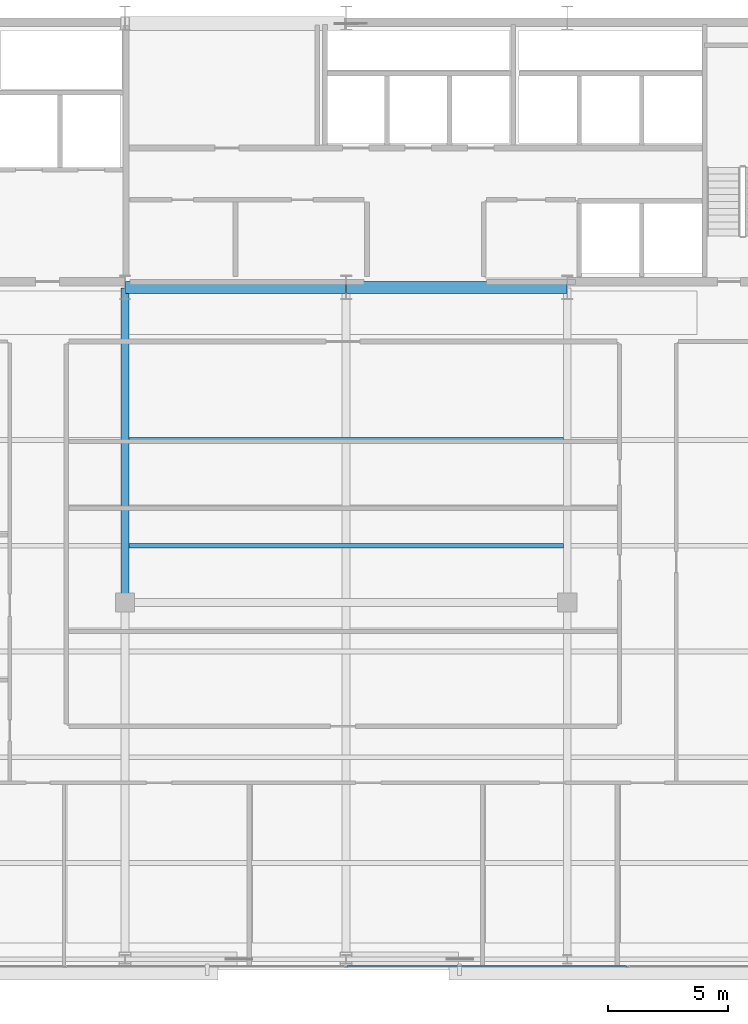
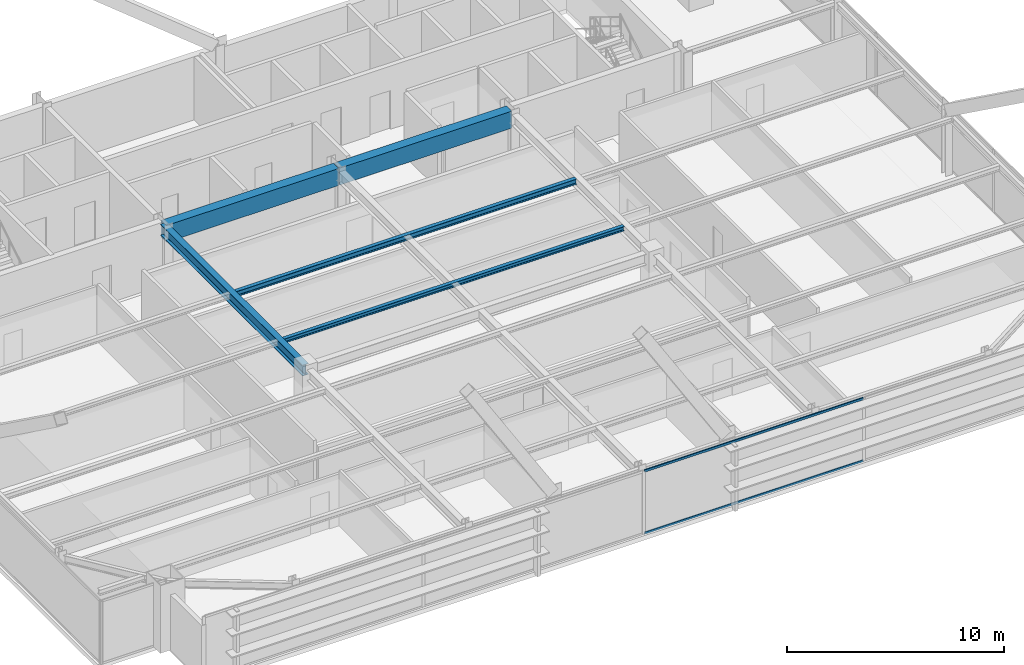
# One storey, part 12 of 30: 5 beams, 2 members, 1 element without a shape of its own.
"""IFC4 building model written with IfcOpenShell, lengths in metres."""

import ifcopenshell
import ifcopenshell.guid

model = None  # the IFC model being written
_history = None  # IfcOwnerHistory: only IFC2X3 demands one
_inside = {}  # id of a spatial element -> (the spatial element, [elements in it])
_under = {}  # id of a project, library or spatial element -> (it, [spatial elements below it])
_declared = {}  # id of a project -> (the project, [libraries it declares])
_typed = {}  # id of a type object -> (the type object, [elements of that type])
_made_of = {}  # id of a material, layer set ... -> (it, [elements and type objects made of it])


def new_model(schema):
    """Start an empty IFC model of exactly this schema.

    Asked for "IFC4X3", IfcOpenShell would pick the latest addendum, in which some entities
    have other attributes; the version numbers below select the first issue.
    IFC2X3 requires an IfcOwnerHistory on every rooted entity: one is made here for all.
    """
    global model, _history
    if schema == "IFC4X3":
        model = ifcopenshell.file(schema_version=(4, 3, 0, 0))
    else:
        model = ifcopenshell.file(schema=schema)
    _inside.clear()
    _under.clear()
    _declared.clear()
    _typed.clear()
    _made_of.clear()
    _history = None
    if model.schema == "IFC2X3":
        org = make("IfcOrganization", Name="unknown")
        user = make(
            "IfcPersonAndOrganization",
            ThePerson=make("IfcPerson", FamilyName="unknown"),
            TheOrganization=org,
        )
        app = make(
            "IfcApplication",
            ApplicationDeveloper=org,
            Version="unknown",
            ApplicationFullName="unknown",
            ApplicationIdentifier="unknown",
        )
        _history = make(
            "IfcOwnerHistory",
            OwningUser=user,
            OwningApplication=app,
            ChangeAction="ADDED",
            CreationDate=0,
        )
    return model


def make(cls, **values):
    """One entity of the class cls with the attributes given. An attribute that is None is left unset."""
    return model.create_entity(
        cls, **{name: value for name, value in values.items() if value is not None}
    )


def rooted(cls, **values):
    """An entity with a GlobalId (a new one), such as an element, a storey or a relation."""
    return make(cls, GlobalId=ifcopenshell.guid.new(), OwnerHistory=_history, **values)


def si_unit(unit_type, name, prefix=None):
    """IfcSIUnit, for example si_unit("LENGTHUNIT", "METRE", prefix="MILLI")."""
    return make("IfcSIUnit", UnitType=unit_type, Prefix=prefix, Name=name)


def assignment(units):
    """IfcUnitAssignment: the units of a project."""
    return None if units is None else make("IfcUnitAssignment", Units=units)


def point(xyz):
    """IfcCartesianPoint."""
    return None if xyz is None else make("IfcCartesianPoint", Coordinates=xyz)


def direction(xyz):
    """IfcDirection."""
    return None if xyz is None else make("IfcDirection", DirectionRatios=xyz)


def frame(location, z_axis=None, x_axis=None):
    """IfcAxis2Placement3D, a coordinate frame: its origin and axes. An axis left out is left unset."""
    return make(
        "IfcAxis2Placement3D",
        Location=point(location),
        Axis=direction(z_axis),
        RefDirection=direction(x_axis),
    )


def frame_2d(location, x_axis=None):
    """IfcAxis2Placement2D, a coordinate frame in the plane: its origin and x axis."""
    return make(
        "IfcAxis2Placement2D", Location=point(location), RefDirection=direction(x_axis)
    )


def origin():
    """The frame at (0, 0, 0) with its axes left unset."""
    return frame((0.0, 0.0, 0.0))


def origin_2d():
    """The frame at (0, 0) in the plane with its x axis left unset."""
    return frame_2d((0.0, 0.0))


def place(relative_to, where):
    """IfcLocalPlacement: puts the frame where relative to a parent placement (None: the world)."""
    return make(
        "IfcLocalPlacement", PlacementRelTo=relative_to, RelativePlacement=where
    )


def context(
    kind, dimensions, precision=None, world=None, true_north=None, identifier=None
):
    """IfcGeometricRepresentationContext, for example the 3D "Model" context."""
    return make(
        "IfcGeometricRepresentationContext",
        ContextIdentifier=identifier,
        ContextType=kind,
        CoordinateSpaceDimension=dimensions,
        Precision=precision,
        WorldCoordinateSystem=world,
        TrueNorth=true_north,
    )


def subcontext(parent, identifier, kind, view, scale=None):
    """IfcGeometricRepresentationSubContext, for example "Body" below "Model"."""
    return make(
        "IfcGeometricRepresentationSubContext",
        ContextIdentifier=identifier,
        ContextType=kind,
        ParentContext=parent,
        TargetScale=scale,
        TargetView=view,
    )


def project(units=None, contexts=None):
    """IfcProject with its units and contexts."""
    return rooted(
        "IfcProject",
        Name="project",
        RepresentationContexts=contexts,
        UnitsInContext=assignment(units),
    )


def spatial(cls, under=None, at=None, **own):
    """A site, building, storey or space (cls), placed at a placement, below another one or the project."""
    s = rooted(cls, ObjectPlacement=at, **own)
    if under is not None:
        _under.setdefault(under.id(), (under, []))[1].append(s)
    return s


def profile(cls, at=None, kind="AREA", **sizes):
    """A parametric profile (cls). Its sizes go by their IFC names, for example OverallWidth=200.0."""
    return make(cls, ProfileType=kind, Position=at, **sizes)


def rectangle(**sizes):
    """IfcRectangleProfileDef."""
    return profile("IfcRectangleProfileDef", **sizes)


def hollow_rectangle(**sizes):
    """IfcRectangleHollowProfileDef."""
    return profile("IfcRectangleHollowProfileDef", **sizes)


def i_section(**sizes):
    """IfcIShapeProfileDef."""
    return profile("IfcIShapeProfileDef", **sizes)


def extrude(swept, where, along, depth):
    """IfcExtrudedAreaSolid: the profile swept, set in the frame where, extruded along a direction by depth."""
    return make(
        "IfcExtrudedAreaSolid",
        SweptArea=swept,
        Position=where,
        ExtrudedDirection=direction(along),
        Depth=depth,
    )


def shape(context_of_items, identifier, shape_type, items):
    """IfcShapeRepresentation: the items that make up one representation, for example the "Body"."""
    return make(
        "IfcShapeRepresentation",
        ContextOfItems=context_of_items,
        RepresentationIdentifier=identifier,
        RepresentationType=shape_type,
        Items=items,
    )


def source(mapping_origin, context_of_items, identifier, shape_type, items):
    """IfcRepresentationMap: a shape defined once, which mapped items show again and again."""
    return make(
        "IfcRepresentationMap",
        MappingOrigin=mapping_origin,
        MappedRepresentation=shape(context_of_items, identifier, shape_type, items),
    )


def transform(
    local_origin,
    x_axis=None,
    y_axis=None,
    z_axis=None,
    scale=None,
    scale2=None,
    scale3=None,
    uniform=True,
):
    """IfcCartesianTransformationOperator3D, or its non-uniform kind. x_axis, y_axis, z_axis: its Axis1, 2, 3."""
    if uniform:
        return make(
            "IfcCartesianTransformationOperator3D",
            Axis1=direction(x_axis),
            Axis2=direction(y_axis),
            LocalOrigin=point(local_origin),
            Scale=scale,
            Axis3=direction(z_axis),
        )
    return make(
        "IfcCartesianTransformationOperator3DnonUniform",
        Axis1=direction(x_axis),
        Axis2=direction(y_axis),
        LocalOrigin=point(local_origin),
        Scale=scale,
        Axis3=direction(z_axis),
        Scale2=scale2,
        Scale3=scale3,
    )


def mapped(mapping_source, mapping_target):
    """IfcMappedItem: shows the shape of a source again, moved by a transform."""
    return make(
        "IfcMappedItem", MappingSource=mapping_source, MappingTarget=mapping_target
    )


def material(Name=None, Category=None):
    """IfcMaterial."""
    return make("IfcMaterial", Name=Name, Category=Category)


def layer(
    of_material, thickness, ventilated=None, Name=None, Category=None, Priority=None
):
    """IfcMaterialLayer: one layer of a wall or slab, of a material (None: an air gap)."""
    return make(
        "IfcMaterialLayer",
        Material=of_material,
        LayerThickness=thickness,
        IsVentilated=ventilated,
        Name=Name,
        Category=Category,
        Priority=Priority,
    )


def layer_set(layers, Name=None):
    """IfcMaterialLayerSet."""
    return make("IfcMaterialLayerSet", MaterialLayers=layers, LayerSetName=Name)


def material_profile(
    of_material, cross_section, Name=None, Category=None, Priority=None
):
    """IfcMaterialProfile: a cross section and its material."""
    return make(
        "IfcMaterialProfile",
        Name=Name,
        Material=of_material,
        Profile=cross_section,
        Priority=Priority,
        Category=Category,
    )


def profile_set(profiles, Name=None, composite=None):
    """IfcMaterialProfileSet."""
    return make(
        "IfcMaterialProfileSet",
        Name=Name,
        MaterialProfiles=profiles,
        CompositeProfile=composite,
    )


def made_of(thing, what):
    """Note that an element or type object is made of a material, layer set ...; save() writes the relation."""
    if what is not None:
        _made_of.setdefault(what.id(), (what, []))[1].append(thing)
    return thing


def type_object(cls, material=None, **own):
    """A type object (cls), such as IfcWallType, which elements share."""
    return made_of(rooted(cls, **own), material)


def type_shapes(of_type, sources):
    """Give a type object the sources (RepresentationMaps) that its elements show as mapped items."""
    of_type.RepresentationMaps = sources


def element(
    cls,
    number,
    at=None,
    inside=None,
    cuts=None,
    type_object=None,
    material=None,
    context=None,
    identifier="Body",
    shape_type=None,
    held_by="IfcProductDefinitionShape",
    body=None,
    shapes=None,
    **own,
):
    """One element of the class cls, such as IfcWall. Its Tag is "e" and its number.

    at: its placement. inside: the storey or other place that contains it. cuts: it is an
    opening in that element (IfcRelVoidsElement). A single representation is given by context,
    identifier, shape_type and body (its items); several are given by shapes. held_by: the class
    of the entity that holds the representations. save() writes the other relations.
    """
    e = rooted(cls, Tag="e%d" % number, ObjectPlacement=at, **own)
    if body is not None:
        shapes = [shape(context, identifier, shape_type, body)]
    if shapes is not None:
        e.Representation = make(held_by, Representations=shapes)
    if inside is not None:
        _inside.setdefault(inside.id(), (inside, []))[1].append(e)
    if cuts is not None:
        rooted(
            "IfcRelVoidsElement", RelatingBuildingElement=cuts, RelatedOpeningElement=e
        )
    if type_object is not None:
        _typed.setdefault(type_object.id(), (type_object, []))[1].append(e)
    return made_of(e, material)


def aggregate(whole, parts):
    """IfcRelAggregates: a whole, such as a stair, and the parts it consists of."""
    return rooted("IfcRelAggregates", RelatingObject=whole, RelatedObjects=parts)


def save(model, path):
    """Write the relations noted so far, then the file.

    IfcRelAggregates (storeys below a building ...), IfcRelContainedInSpatialStructure (elements
    in a storey), IfcRelDefinesByType, IfcRelAssociatesMaterial and IfcRelDeclares: one each for
    every whole, place, type object, material and project.
    """
    for whole, parts in _under.values():
        aggregate(whole, parts)
    for where, things in _inside.values():
        rooted(
            "IfcRelContainedInSpatialStructure",
            RelatedElements=things,
            RelatingStructure=where,
        )
    for kind, things in _typed.values():
        rooted("IfcRelDefinesByType", RelatedObjects=things, RelatingType=kind)
    for what, things in _made_of.values():
        rooted("IfcRelAssociatesMaterial", RelatedObjects=things, RelatingMaterial=what)
    for by, libraries in _declared.values():
        rooted("IfcRelDeclares", RelatingContext=by, RelatedDefinitions=libraries)
    model.write(path)


model = new_model("IFC4")

# Units and contexts
model_context = context("Model", 3, precision=1e-05, world=origin(), true_north=direction((0.0, 1.0)))
body_context = subcontext(model_context, "Body", "Model", "MODEL_VIEW")
ifc_project = project(units=[si_unit("LENGTHUNIT", "METRE"), si_unit("AREAUNIT", "SQUARE_METRE"), si_unit("VOLUMEUNIT", "CUBIC_METRE"), si_unit("PLANEANGLEUNIT", "RADIAN"), si_unit("MASSUNIT", "GRAM", prefix="KILO")], contexts=[model_context])

# Site, building, storey
site_placement = place(None, origin())
site = spatial("IfcSite", under=ifc_project, at=site_placement, CompositionType="ELEMENT")
building_placement = place(site_placement, origin())
building = spatial("IfcBuilding", under=site, at=building_placement, Name="Varnel Quay Broadcast Tower", CompositionType="ELEMENT")
storey_placement = place(building_placement, frame((0.0, 0.0, 180.0)))
storey = spatial("IfcBuildingStorey", under=building, at=storey_placement, Name="L44", CompositionType="ELEMENT", Elevation=180.0)

# Beams
ifc_material_1 = material(Name="Structural Steel CSA G40.21 350W", Category="steel")
ifc_material_profile_1 = material_profile(ifc_material_1, i_section(OverallWidth=0.324951171875, OverallDepth=0.615966796875, WebThickness=0.013916015625, FlangeThickness=0.021484375, FilletRadius=0.01611328125, at=origin_2d()), Name="W610X174")
ifc_profile_set_1 = profile_set([ifc_material_profile_1], Name="Structural Steel CSA G40.21 350W")
beam_type_1 = type_object("IfcBeamType", Name="Girder_W610X174", PredefinedType="BEAM", material=ifc_profile_set_1)
shared_shape_1 = source(origin(), body_context, "Body", "SweptSolid", [
    extrude(i_section(OverallWidth=0.324951171875, OverallDepth=0.615966796875, WebThickness=0.013916015625, FlangeThickness=0.021484375, FilletRadius=0.01611328125, at=origin_2d()), origin(), (0.0, 0.0, 1.0), 13.070068359375),
])
type_shapes(beam_type_1, [shared_shape_1])
beam_1_placement = place(storey_placement, frame((24.800048828125, 22.510009765625, 3.241943359375), z_axis=(0.0, 1.0, 0.0), x_axis=(-1.0, 0.0, 0.0)))
element("IfcBeam", 1, at=beam_1_placement, inside=storey, type_object=beam_type_1, Name="L44 Primary Girder IC-01-CC-S2", PredefinedType="BEAM", context=body_context, shape_type="MappedRepresentation", body=[
    mapped(shared_shape_1, transform((0.0, 0.0, 0.0), x_axis=(1.0, 0.0, 0.0), y_axis=(0.0, 1.0, 0.0), z_axis=(0.0, 0.0, 1.0), scale=1.0)),
])
ifc_material_2 = material(Name="Concrete CSA A23.3 C50/60", Category="concrete")
ifc_material_profile_2 = material_profile(ifc_material_2, rectangle(XDim=0.5, YDim=0.949951171875, at=origin_2d()), Name="RC500X950")
ifc_profile_set_2 = profile_set([ifc_material_profile_2], Name="Concrete CSA A23.3 C50/60")
beam_type_2 = type_object("IfcBeamType", Name="Beam_RC500X950", PredefinedType="BEAM", material=ifc_profile_set_2)
shared_shape_2 = source(origin(), body_context, "Body", "SweptSolid", [
    extrude(rectangle(XDim=0.5, YDim=0.949951171875, at=origin_2d()), origin(), (0.0, 0.0, 1.0), 9.159912109375),
])
type_shapes(beam_type_2, [shared_shape_2])
for number, where, z_axis, x_axis, name in (
    (2, (24.820068359375, 35.60009765625, 3.074951171875), (1.0, 0.0, 0.0), (0.0, 1.0, 0.0), "L44 Core Coupling Beam W"),
    (3, (34.02001953125, 35.60009765625, 3.074951171875), (1.0, 0.0, 0.0), (0.0, 1.0, 0.0), "L44 Core Coupling Beam E"),
):
    element("IfcBeam", number, at=place(storey_placement, frame(where, z_axis=z_axis, x_axis=x_axis)), inside=storey, type_object=beam_type_2, Name=name, PredefinedType="BEAM", context=body_context, shape_type="MappedRepresentation", body=[
        mapped(shared_shape_2, transform((0.0, 0.0, 0.0), x_axis=(1.0, 0.0, 0.0), y_axis=(0.0, 1.0, 0.0), z_axis=(0.0, 0.0, 1.0), scale=1.0)),
    ])
ifc_material_profile_3 = material_profile(ifc_material_1, i_section(OverallWidth=0.202880859375, OverallDepth=0.302978515625, WebThickness=0.007568359375, FlangeThickness=0.01318359375, FilletRadius=0.011962890625, at=origin_2d()), Name="W310X60")
ifc_profile_set_3 = profile_set([ifc_material_profile_3], Name="Structural Steel CSA G40.21 350W")
beam_type_3 = type_object("IfcBeamType", Name="Beam_W310X60", PredefinedType="JOIST", material=ifc_profile_set_3)
shared_shape_3 = source(origin(), body_context, "Body", "SweptSolid", [
    extrude(i_section(OverallWidth=0.202880859375, OverallDepth=0.302978515625, WebThickness=0.007568359375, FlangeThickness=0.01318359375, FilletRadius=0.011962890625, at=origin_2d()), origin(), (0.0, 0.0, 1.0), 18.0849609375),
])
type_shapes(beam_type_3, [shared_shape_3])
beam_2_placement = place(storey_placement, frame((24.95751953125, 29.25, 3.3984375), z_axis=(1.0, 0.0, 0.0), x_axis=(0.0, 1.0, 0.0)))
element("IfcBeam", 4, at=beam_2_placement, inside=storey, type_object=beam_type_3, Name="L44 Central Floor Joist 5", PredefinedType="JOIST", context=body_context, shape_type="MappedRepresentation", body=[
    mapped(shared_shape_3, transform((0.0, 0.0, 0.0), x_axis=(1.0, 0.0, 0.0), y_axis=(0.0, 1.0, 0.0), z_axis=(0.0, 0.0, 1.0), scale=1.0)),
])
ifc_material_profile_4 = material_profile(ifc_material_1, i_section(OverallWidth=0.201904296875, OverallDepth=0.2470703125, WebThickness=0.00732421875, FlangeThickness=0.010986328125, FilletRadius=0.010986328125, at=origin_2d()), Name="W250X49")
ifc_profile_set_4 = profile_set([ifc_material_profile_4], Name="Structural Steel CSA G40.21 350W")
beam_type_4 = type_object("IfcBeamType", Name="Beam_W250X49", PredefinedType="JOIST", material=ifc_profile_set_4)
shared_shape_4 = source(origin(), body_context, "Body", "SweptSolid", [
    extrude(i_section(OverallWidth=0.201904296875, OverallDepth=0.2470703125, WebThickness=0.00732421875, FlangeThickness=0.010986328125, FilletRadius=0.010986328125, at=origin_2d()), origin(), (0.0, 0.0, 1.0), 18.0849609375),
])
type_shapes(beam_type_4, [shared_shape_4])
beam_3_placement = place(storey_placement, frame((24.95751953125, 24.85009765625, 3.426513671875), z_axis=(1.0, 0.0, 0.0), x_axis=(0.0, 1.0, 0.0)))
element("IfcBeam", 5, at=beam_3_placement, inside=storey, type_object=beam_type_4, Name="L44 Central Floor Joist 4", PredefinedType="JOIST", context=body_context, shape_type="MappedRepresentation", body=[
    mapped(shared_shape_4, transform((0.0, 0.0, 0.0), x_axis=(1.0, 0.0, 0.0), y_axis=(0.0, 1.0, 0.0), z_axis=(0.0, 0.0, 1.0), scale=1.0)),
])

# Curtain wall, members
ifc_material_3 = material(Name="Anodised Bronze Aluminium 6063-T6", Category="aluminium")
ifc_layer = layer(ifc_material_3, 0.18994140625, Name="Anodised Bronze Aluminium 6063-T6")
ifc_layer_set = layer_set([ifc_layer], Name="Anodised Bronze Aluminium 6063-T6")
curtain_wall_type = type_object("IfcCurtainWallType", Name="CW_UpperTower", PredefinedType="NOTDEFINED", material=ifc_layer_set)
curtain_wall_placement = place(storey_placement, origin())
curtain_wall = element("IfcCurtainWall", 6, at=curtain_wall_placement, inside=storey, type_object=curtain_wall_type, Name="L44 South Unitised Curtain Wall 1", PredefinedType="NOTDEFINED")
ifc_material_profile_5 = material_profile(ifc_material_3, hollow_rectangle(XDim=0.06005859375, YDim=0.125, WallThickness=0.0029296875, at=origin_2d()), Name="ALU60X125X3")
ifc_profile_set_5 = profile_set([ifc_material_profile_5], Name="Anodised Bronze Aluminium 6063-T6")
member_type = type_object("IfcMemberType", Name="Tran_CWS-03", PredefinedType="USERDEFINED", material=ifc_profile_set_5)
shared_shape_5 = source(origin(), body_context, "Body", "SweptSolid", [
    extrude(hollow_rectangle(XDim=0.06005859375, YDim=0.125, WallThickness=0.0029296875, at=origin_2d()), origin(), (0.0, 0.0, 1.0), 11.635009765625),
])
type_shapes(member_type, [shared_shape_5])
member_1_placement = place(storey_placement, frame((34.032470703125, 7.35009765625, 0.030029296875), z_axis=(1.0, 0.0, 0.0), x_axis=(0.0, 1.0, 0.0)))
member_1 = element("IfcMember", 7, at=member_1_placement, type_object=member_type, Name="CWS-03 transom 3.1", ObjectType="TRANSOM", PredefinedType="USERDEFINED", context=body_context, shape_type="MappedRepresentation", body=[
    mapped(shared_shape_5, transform((0.0, 0.0, 0.0), x_axis=(1.0, 0.0, 0.0), y_axis=(0.0, 1.0, 0.0), z_axis=(0.0, 0.0, 1.0), scale=1.0)),
])
member_2_placement = place(storey_placement, frame((34.032470703125, 7.35009765625, 3.52001953125), z_axis=(1.0, 0.0, 0.0), x_axis=(0.0, 1.0, 0.0)))
member_2 = element("IfcMember", 8, at=member_2_placement, type_object=member_type, Name="CWS-03 transom 3.2", ObjectType="TRANSOM", PredefinedType="USERDEFINED", context=body_context, shape_type="MappedRepresentation", body=[
    mapped(shared_shape_5, transform((0.0, 0.0, 0.0), x_axis=(1.0, 0.0, 0.0), y_axis=(0.0, 1.0, 0.0), z_axis=(0.0, 0.0, 1.0), scale=1.0)),
])
aggregate(curtain_wall, [member_1, member_2])

save(model, "model.ifc")
